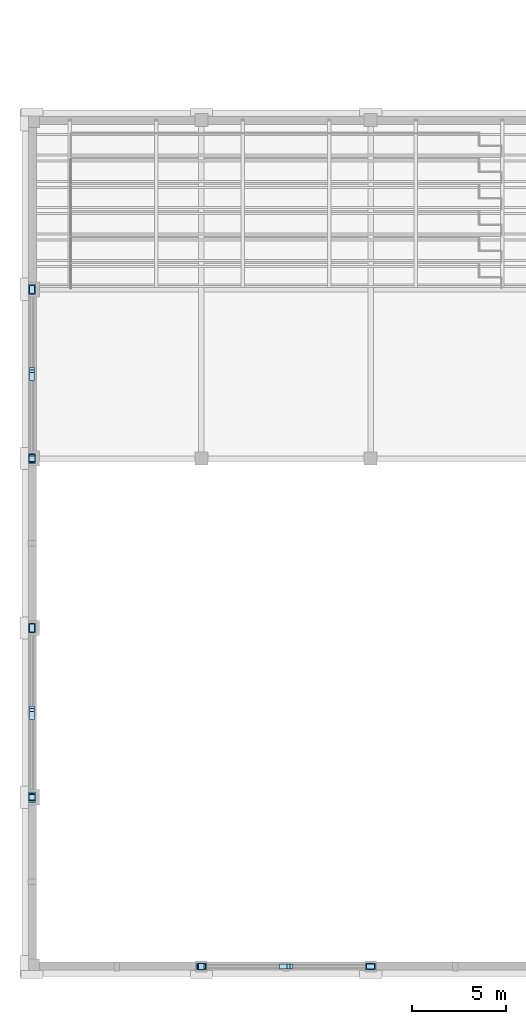
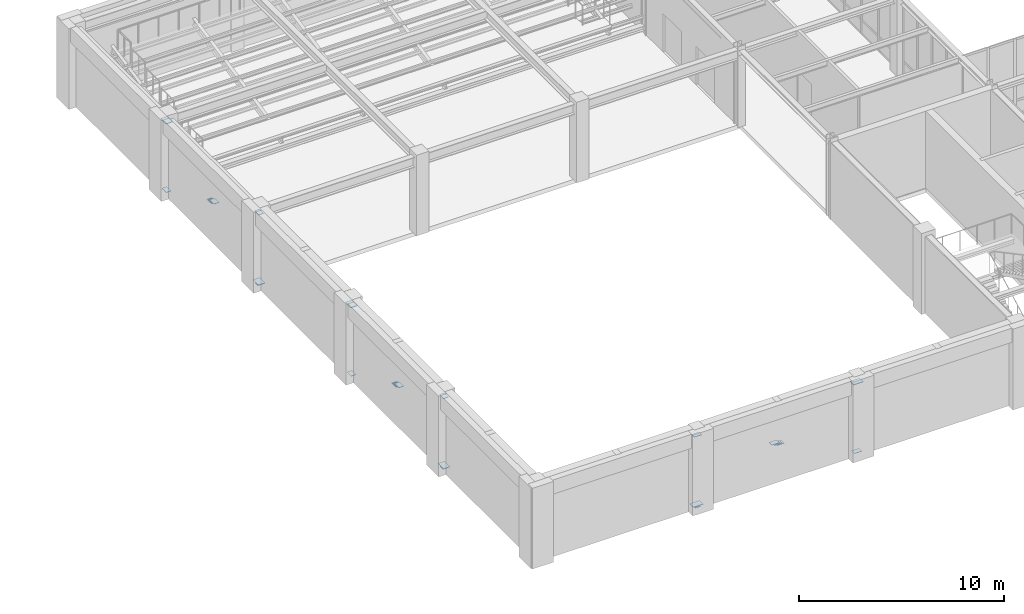
# One storey, part 75 of 98: 24 plates.
"""IFC4 building model written with IfcOpenShell, lengths in metres."""

from ifc_helpers import new_model, si_unit, direction, frame, origin, origin_2d, place, context, subcontext, project, spatial, rectangle, extrude, material, layer, layer_set, type_object, element, save


model = new_model("IFC4")

# Units and contexts
model_context = context("Model", 3, precision=1e-05, world=origin(), true_north=direction((0.0, 1.0)))
body_context = subcontext(model_context, "Body", "Model", "MODEL_VIEW")
ifc_project = project(units=[si_unit("LENGTHUNIT", "METRE"), si_unit("AREAUNIT", "SQUARE_METRE"), si_unit("VOLUMEUNIT", "CUBIC_METRE"), si_unit("PLANEANGLEUNIT", "RADIAN"), si_unit("MASSUNIT", "GRAM", prefix="KILO")], contexts=[model_context])

# Site, building, storey
site_placement = place(None, origin())
site = spatial("IfcSite", under=ifc_project, at=site_placement, CompositionType="ELEMENT")
building_placement = place(site_placement, origin())
building = spatial("IfcBuilding", under=site, at=building_placement, Name="Lykobir Media Centre", CompositionType="ELEMENT")
storey_placement = place(building_placement, frame((0.0, 0.0, 10.199951171875)))
storey = spatial("IfcBuildingStorey", under=building, at=storey_placement, Name="L02", CompositionType="ELEMENT", Elevation=10.199951171875)

# Plates
ifc_material = material(Name="Steel S355", Category="steel")
ifc_layer_1 = layer(ifc_material, 0.01611328125, Name="Steel S355")
ifc_layer_set_1 = layer_set([ifc_layer_1], Name="Steel S355")
plate_type_1 = type_object("IfcPlateType", Name="CP-280", PredefinedType="SHEET", material=ifc_layer_set_1)
for number, where, z_axis, x_axis, name in (
    (1, (0.0, 9.0, 0.001953125), (0.0, 0.0, 1.0), (0.0, 1.0, 0.0), "Structural plate PLT-L02-0000-0090-0102"),
    (2, (0.0, 27.0, 0.001953125), (0.0, 0.0, 1.0), (0.0, 1.0, 0.0), "Structural plate PLT-L02-0000-0270-0102"),
    (3, (9.0, 0.0, 0.001953125), (0.0, 0.0, 1.0), (1.0, 0.0, 0.0), "Structural plate PLT-L02-0090-0000-0102"),
):
    element("IfcPlate", number, at=place(storey_placement, frame(where, z_axis=z_axis, x_axis=x_axis)), inside=storey, type_object=plate_type_1, Name=name, PredefinedType="SHEET", context=body_context, shape_type="SweptSolid", body=[
        extrude(rectangle(XDim=0.300048828125, YDim=0.300048828125, at=origin_2d()), origin(), (0.0, 0.0, 1.0), 0.01611328125),
    ])
ifc_layer_2 = layer(ifc_material, 0.02001953125, Name="Steel S355")
ifc_layer_set_2 = layer_set([ifc_layer_2], Name="Steel S355")
plate_type_2 = type_object("IfcPlateType", Name="GP-420", PredefinedType="USERDEFINED", material=ifc_layer_set_2)
for number, where, z_axis, x_axis, name in (
    (4, (0.0, 13.5, 2.169921875), (0.0, 0.0, 1.0), (0.0, 1.0, 0.0), "Structural plate PLT-L02-0000-0135-0124"),
    (5, (0.0, 18.0, 0.110107421875), (0.0, 0.0, 1.0), (0.0, 1.0, 0.0), "Structural plate PLT-L02-0000-0180-0103"),
    (6, (0.0, 13.6455078125, 2.103515625), (0.0, 0.0, 1.0), (0.0, 1.0, 0.0), "Structural plate PLT-L02-0000-0136-0123"),
    (7, (0.0, 13.3544921875, 2.236572265625), (0.0, 0.0, 1.0), (0.0, 1.0, 0.0), "Structural plate PLT-L02-0000-0134-0124"),
    (8, (0.0, 9.0, 4.22998046875), (0.0, 0.0, 1.0), (0.0, 1.0, 0.0), "Structural plate PLT-L02-0000-0090-0144"),
    (9, (0.0, 31.5, 2.169921875), (0.0, 0.0, 1.0), (0.0, 1.0, 0.0), "Structural plate PLT-L02-0000-0315-0124"),
    (10, (0.0, 36.0, 0.110107421875), (0.0, 0.0, 1.0), (0.0, 1.0, 0.0), "Structural plate PLT-L02-0000-0360-0103"),
    (11, (0.0, 31.6455078125, 2.103515625), (0.0, 0.0, 1.0), (0.0, 1.0, 0.0), "Structural plate PLT-L02-0000-0316-0123"),
    (12, (0.0, 31.3544921875, 2.236572265625), (0.0, 0.0, 1.0), (0.0, 1.0, 0.0), "Structural plate PLT-L02-0000-0314-0124"),
    (13, (0.0, 27.0, 4.22998046875), (0.0, 0.0, 1.0), (0.0, 1.0, 0.0), "Structural plate PLT-L02-0000-0270-0144"),
    (14, (13.5, 0.0, 2.169921875), (0.0, 0.0, 1.0), (1.0, 0.0, 0.0), "Structural plate PLT-L02-0135-0000-0124"),
    (15, (18.0, 0.0, 0.110107421875), (0.0, 0.0, 1.0), (1.0, 0.0, 0.0), "Structural plate PLT-L02-0180-0000-0103"),
    (16, (13.6455078125, 0.0, 2.103515625), (0.0, 0.0, 1.0), (1.0, 0.0, 0.0), "Structural plate PLT-L02-0136-0000-0123"),
    (17, (13.3544921875, 0.0, 2.236572265625), (0.0, 0.0, 1.0), (1.0, 0.0, 0.0), "Structural plate PLT-L02-0134-0000-0124"),
    (18, (9.0, 0.0, 4.22998046875), (0.0, 0.0, 1.0), (1.0, 0.0, 0.0), "Structural plate PLT-L02-0090-0000-0144"),
):
    element("IfcPlate", number, at=place(storey_placement, frame(where, z_axis=z_axis, x_axis=x_axis)), inside=storey, type_object=plate_type_2, Name=name, ObjectType="GUSSET_PLATE", PredefinedType="USERDEFINED", context=body_context, shape_type="SweptSolid", body=[
        extrude(rectangle(XDim=0.419921875, YDim=0.280029296875, at=origin_2d()), origin(), (0.0, 0.0, 1.0), 0.02001953125),
    ])
ifc_layer_3 = layer(ifc_material, 0.028076171875, Name="Steel S355")
ifc_layer_set_3 = layer_set([ifc_layer_3], Name="Steel S355")
plate_type_3 = type_object("IfcPlateType", Name="GP-540", PredefinedType="USERDEFINED", material=ifc_layer_set_3)
for number, where, z_axis, x_axis, name in (
    (19, (0.0, 9.0, 0.10595703125), (0.0, 0.0, 1.0), (0.0, 1.0, 0.0), "Structural plate PLT-L02-0000-0090-0103"),
    (20, (0.0, 18.0, 4.22607421875), (0.0, 0.0, 1.0), (0.0, 1.0, 0.0), "Structural plate PLT-L02-0000-0180-0144"),
    (21, (0.0, 27.0, 0.10595703125), (0.0, 0.0, 1.0), (0.0, 1.0, 0.0), "Structural plate PLT-L02-0000-0270-0103"),
    (22, (0.0, 36.0, 4.22607421875), (0.0, 0.0, 1.0), (0.0, 1.0, 0.0), "Structural plate PLT-L02-0000-0360-0144"),
    (23, (9.0, 0.0, 0.10595703125), (0.0, 0.0, 1.0), (1.0, 0.0, 0.0), "Structural plate PLT-L02-0090-0000-0103"),
    (24, (18.0, 0.0, 4.22607421875), (0.0, 0.0, 1.0), (1.0, 0.0, 0.0), "Structural plate PLT-L02-0180-0000-0144"),
):
    element("IfcPlate", number, at=place(storey_placement, frame(where, z_axis=z_axis, x_axis=x_axis)), inside=storey, type_object=plate_type_3, Name=name, ObjectType="GUSSET_PLATE", PredefinedType="USERDEFINED", context=body_context, shape_type="SweptSolid", body=[
        extrude(rectangle(XDim=0.5400390625, YDim=0.360107421875, at=origin_2d()), origin(), (0.0, 0.0, 1.0), 0.028076171875),
    ])

save(model, "model.ifc")
